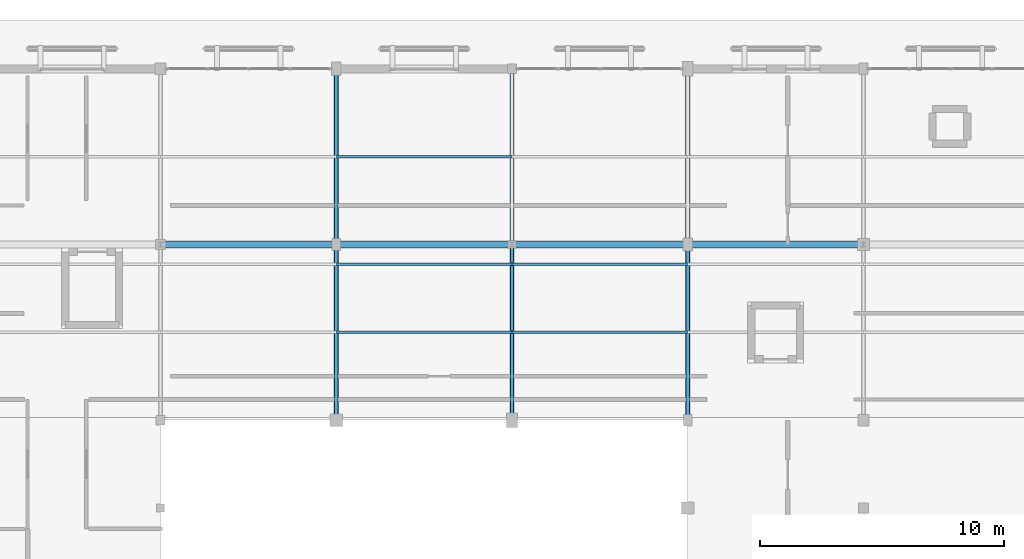
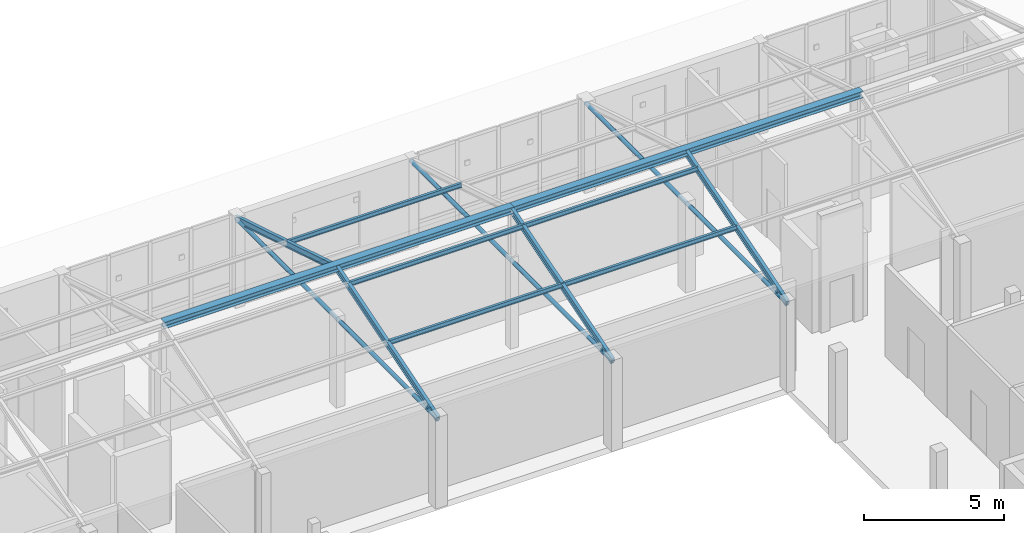
# One storey, part 36 of 61: 12 members, 2 beams.
"""IFC4 building model written with IfcOpenShell, lengths in metres."""

from ifc_helpers import new_model, si_unit, direction, frame, origin, origin_2d, place, context, subcontext, project, spatial, hollow_circle, i_section, extrude, material, material_profile, profile_set, type_object, element, save


model = new_model("IFC4")

# Units and contexts
model_context = context("Model", 3, precision=1e-05, world=origin(), true_north=direction((0.0, 1.0)))
body_context = subcontext(model_context, "Body", "Model", "MODEL_VIEW")
ifc_project = project(units=[si_unit("LENGTHUNIT", "METRE"), si_unit("AREAUNIT", "SQUARE_METRE"), si_unit("VOLUMEUNIT", "CUBIC_METRE"), si_unit("PLANEANGLEUNIT", "RADIAN"), si_unit("MASSUNIT", "GRAM", prefix="KILO")], contexts=[model_context])

# Site, building, storey
site_placement = place(None, origin())
site = spatial("IfcSite", under=ifc_project, at=site_placement, CompositionType="ELEMENT")
building_placement = place(site_placement, origin())
building = spatial("IfcBuilding", under=site, at=building_placement, Name="Mazaris Harbour Polytechnic", CompositionType="ELEMENT")
storey_placement = place(building_placement, frame((0.0, 0.0, 18.0)))
storey = spatial("IfcBuildingStorey", under=building, at=storey_placement, Name="L04", CompositionType="ELEMENT", Elevation=18.0)

# Beams
ifc_material_1 = material(Name="Steel S355", Category="steel")
ifc_material_profile_1 = material_profile(ifc_material_1, i_section(OverallWidth=0.300048828125, OverallDepth=0.2900390625, WebThickness=0.008544921875, FlangeThickness=0.013916015625, FilletRadius=0.027099609375, at=origin_2d()), Name="HEA 300")
ifc_profile_set_1 = profile_set([ifc_material_profile_1], Name="Steel S355")
beam_type = type_object("IfcBeamType", Name="Steel Beam HEA300", PredefinedType="SPANDREL", material=ifc_profile_set_1)
beam_1_placement = place(storey_placement, frame((136.800048828125, 93.60009765625, 6.0), z_axis=(1.0, 0.0, 0.0), x_axis=(0.0, 1.0, 0.0)))
element("IfcBeam", 1, at=beam_1_placement, inside=storey, type_object=beam_type, Name="V5 Studio Ridge Girder 136.8", PredefinedType="SPANDREL", context=body_context, shape_type="SweptSolid", body=[
    extrude(i_section(OverallWidth=0.300048828125, OverallDepth=0.2900390625, WebThickness=0.008544921875, FlangeThickness=0.013916015625, FilletRadius=0.027099609375, at=origin_2d()), origin(), (0.0, 0.0, 1.0), 14.39990234375),
])
beam_2_placement = place(storey_placement, frame((151.199951171875, 93.60009765625, 6.0), z_axis=(1.0, 0.0, 0.0), x_axis=(0.0, 1.0, 0.0)))
element("IfcBeam", 2, at=beam_2_placement, inside=storey, type_object=beam_type, Name="V5 Studio Ridge Girder 151.2", PredefinedType="SPANDREL", context=body_context, shape_type="SweptSolid", body=[
    extrude(i_section(OverallWidth=0.300048828125, OverallDepth=0.2900390625, WebThickness=0.008544921875, FlangeThickness=0.013916015625, FilletRadius=0.027099609375, at=origin_2d()), origin(), (0.0, 0.0, 1.0), 14.400146484375),
])

# Members
ifc_material_2 = material(Name="Steel S355", Category="steel")
ifc_material_profile_2 = material_profile(ifc_material_2, i_section(OverallWidth=0.10009765625, OverallDepth=0.199951171875, WebThickness=0.005615234375, FlangeThickness=0.008544921875, FilletRadius=0.011962890625, at=origin_2d()), Name="IPE 200")
ifc_profile_set_2 = profile_set([ifc_material_profile_2], Name="Steel S355")
member_type_1 = type_object("IfcMemberType", Name="Steel Purlin IPE200", PredefinedType="PURLIN", material=ifc_profile_set_2)
for number, where, z_axis, x_axis, name in (
    (3, (144.0, 90.0, 4.840087890625), (1.0, 0.0, 0.0), (0.0, 1.0, 0.0), "V5 Studio Roof Purlin 196"),
    (4, (144.0, 92.800048828125, 5.699951171875), (1.0, 0.0, 0.0), (0.0, 1.0, 0.0), "V5 Studio Roof Purlin 197"),
    (5, (144.0, 97.199951171875, 4.840087890625), (1.0, 0.0, 0.0), (0.0, 1.0, 0.0), "V5 Studio Roof Purlin 198"),
    (6, (151.199951171875, 90.0, 4.840087890625), (1.0, 0.0, 0.0), (0.0, 1.0, 0.0), "V5 Studio Roof Purlin 199"),
    (7, (151.199951171875, 92.800048828125, 5.699951171875), (1.0, 0.0, 0.0), (0.0, 1.0, 0.0), "V5 Studio Roof Purlin 200"),
):
    element("IfcMember", number, at=place(storey_placement, frame(where, z_axis=z_axis, x_axis=x_axis)), inside=storey, type_object=member_type_1, Name=name, PredefinedType="PURLIN", context=body_context, shape_type="SweptSolid", body=[
        extrude(i_section(OverallWidth=0.10009765625, OverallDepth=0.199951171875, WebThickness=0.005615234375, FlangeThickness=0.008544921875, FilletRadius=0.011962890625, at=origin_2d()), origin(), (0.0, 0.0, 1.0), 7.199951171875),
    ])
ifc_material_3 = material(Name="Steel S355", Category="steel")
ifc_material_profile_3 = material_profile(ifc_material_3, i_section(OverallWidth=0.135009765625, OverallDepth=0.27001953125, WebThickness=0.006591796875, FlangeThickness=0.01025390625, FilletRadius=0.014892578125, at=origin_2d()), Name="IPE 270")
ifc_profile_set_3 = profile_set([ifc_material_profile_3], Name="Steel S355")
member_type_2 = type_object("IfcMemberType", Name="Steel Rafter IPE270", PredefinedType="RAFTER", material=ifc_profile_set_3)
member_1_placement = place(storey_placement, frame((144.0, 86.39990234375, 3.699951171875), z_axis=(0.0, 0.956355598669, 0.292205353981), x_axis=(-1.0, 0.0, 0.0)))
element("IfcMember", 8, at=member_1_placement, inside=storey, type_object=member_type_2, Name="V5 Studio South Rafter 15", PredefinedType="RAFTER", context=body_context, shape_type="SweptSolid", body=[
    extrude(i_section(OverallWidth=0.135009765625, OverallDepth=0.27001953125, WebThickness=0.006591796875, FlangeThickness=0.01025390625, FilletRadius=0.014892578125, at=origin_2d()), origin(), (0.0, 0.0, 1.0), 7.52880859375),
])
member_2_placement = place(storey_placement, frame((144.0, 93.60009765625, 5.89990234375), z_axis=(0.0, 0.95635282974, -0.292214416222), x_axis=(-1.0, 0.0, 0.0)))
element("IfcMember", 9, at=member_2_placement, inside=storey, type_object=member_type_2, Name="V5 Studio North Rafter 15", PredefinedType="RAFTER", context=body_context, shape_type="SweptSolid", body=[
    extrude(i_section(OverallWidth=0.135009765625, OverallDepth=0.27001953125, WebThickness=0.006591796875, FlangeThickness=0.01025390625, FilletRadius=0.014892578125, at=origin_2d()), origin(), (0.0, 0.0, 1.0), 7.528564453125),
])
for number, where, z_axis, x_axis, name in (
    (10, (151.199951171875, 86.39990234375, 3.699951171875), (0.0, 0.956355598669, 0.292205353981), (-1.0, 0.0, 0.0), "V5 Studio South Rafter 16"),
    (11, (158.39990234375, 86.39990234375, 3.699951171875), (0.0, 0.956355598669, 0.292205353981), (-1.0, 0.0, 0.0), "V5 Studio South Rafter 17"),
):
    element("IfcMember", number, at=place(storey_placement, frame(where, z_axis=z_axis, x_axis=x_axis)), inside=storey, type_object=member_type_2, Name=name, PredefinedType="RAFTER", context=body_context, shape_type="SweptSolid", body=[
        extrude(i_section(OverallWidth=0.135009765625, OverallDepth=0.27001953125, WebThickness=0.006591796875, FlangeThickness=0.01025390625, FilletRadius=0.014892578125, at=origin_2d()), origin(), (0.0, 0.0, 1.0), 7.52880859375),
    ])
ifc_material_4 = material(Name="Steel S355", Category="steel")
ifc_material_profile_4 = material_profile(ifc_material_4, hollow_circle(Radius=0.084228515625, WallThickness=0.008056640625, at=origin_2d()), Name="CHS 168.3x8.0")
ifc_profile_set_4 = profile_set([ifc_material_profile_4], Name="Steel S355")
member_type_3 = type_object("IfcMemberType", Name="Steel Truss Strut CHS168", PredefinedType="STRUT", material=ifc_profile_set_4)
for number, where, z_axis, x_axis, name in (
    (12, (144.0, 86.39990234375, 3.699951171875), (0.0, 1.0, 0.0), (-1.0, 0.0, 0.0), "V5 Studio Tie 15"),
    (13, (151.199951171875, 86.39990234375, 3.699951171875), (0.0, 1.0, 0.0), (-1.0, 0.0, 0.0), "V5 Studio Tie 16"),
    (14, (158.39990234375, 86.39990234375, 3.699951171875), (0.0, 1.0, 0.0), (-1.0, 0.0, 0.0), "V5 Studio Tie 17"),
):
    element("IfcMember", number, at=place(storey_placement, frame(where, z_axis=z_axis, x_axis=x_axis)), inside=storey, type_object=member_type_3, Name=name, PredefinedType="STRUT", context=body_context, shape_type="SweptSolid", body=[
        extrude(hollow_circle(Radius=0.084228515625, WallThickness=0.008056640625, at=origin_2d()), origin(), (0.0, 0.0, 1.0), 14.400146484375),
    ])

save(model, "model.ifc")
